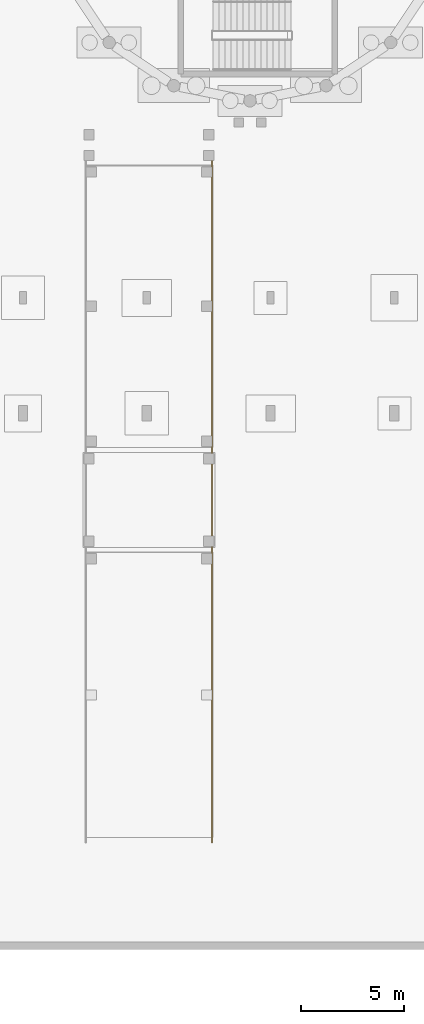
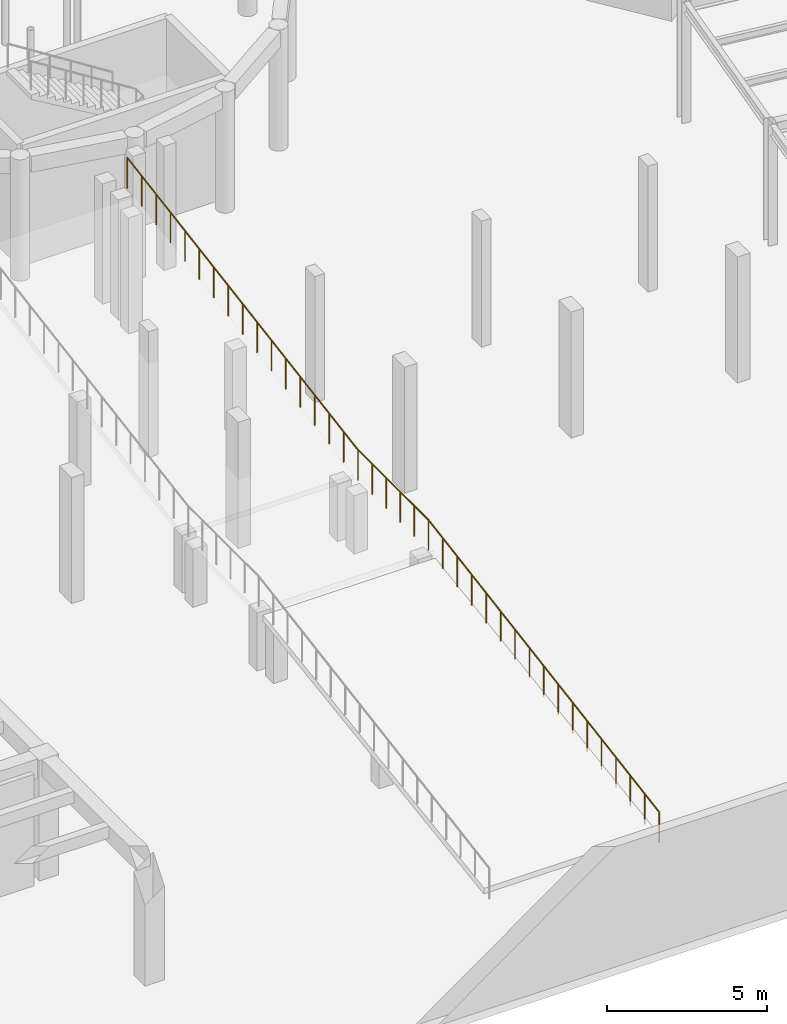
# One storey, part 30 of 34: 1 railing.
"""IFC4 building model written with IfcOpenShell, lengths in metres."""

from ifc_helpers import new_model, si_unit, direction, frame, origin, origin_2d, place, context, subcontext, project, spatial, circle, extrude, material, type_object, element, save


model = new_model("IFC4")

# Units and contexts
model_context = context("Model", 3, precision=1e-05, world=origin(), true_north=direction((0.0, 1.0)))
body_context = subcontext(model_context, "Body", "Model", "MODEL_VIEW")
ifc_project = project(units=[si_unit("LENGTHUNIT", "METRE"), si_unit("AREAUNIT", "SQUARE_METRE"), si_unit("VOLUMEUNIT", "CUBIC_METRE"), si_unit("PLANEANGLEUNIT", "RADIAN"), si_unit("MASSUNIT", "GRAM", prefix="KILO")], contexts=[model_context])

# Site, building, storey
site_placement = place(None, origin())
site = spatial("IfcSite", under=ifc_project, at=site_placement, CompositionType="ELEMENT")
building_placement = place(site_placement, origin())
building = spatial("IfcBuilding", under=site, at=building_placement, Name="Kharisveld Research Institute", CompositionType="ELEMENT")
storey_placement = place(building_placement, frame((0.0, 0.0, -4.800048828125)))
storey = spatial("IfcBuildingStorey", under=building, at=storey_placement, Name="B1", CompositionType="ELEMENT", Elevation=-4.800048828125)

# Railing
ifc_material = material(Name="Steel S355JR", Category="steel")
railing_type = type_object("IfcRailingType", Name="RL_GRD_STR", PredefinedType="GUARDRAIL", material=ifc_material)
railing_placement = place(storey_placement, frame((57.659912109375, 5.199951171875, 0.0)))
element("IfcRailing", 1, at=railing_placement, inside=storey, type_object=railing_type, Name="RLG:B1:CAR_RAMP_LOW_E", PredefinedType="GUARDRAIL", context=body_context, shape_type="SweptSolid", body=[
    extrude(circle(Radius=0.02392578125, at=origin_2d()), frame((0.0, 0.0, 1.15576171875), z_axis=(0.0, 0.986392567852, 0.164407122977), x_axis=(-1.0, 0.0, 0.0)), (0.0, 0.0, 1.0), 14.598876953125),
    extrude(circle(Radius=0.02392578125, at=origin_2d()), frame((0.0, 14.400146484375, 3.55615234375), z_axis=(0.0, 1.0, 0.0), x_axis=(-1.0, 0.0, 0.0)), (0.0, 0.0, 1.0), 4.39990234375),
    extrude(circle(Radius=0.02392578125, at=origin_2d()), frame((0.0, 18.800048828125, 3.55615234375), z_axis=(0.0, 0.986394827799, 0.164393563414), x_axis=(-1.0, 0.0, 0.0)), (0.0, 0.0, 1.0), 14.5986328125),
    extrude(circle(Radius=0.02099609375, at=origin_2d()), origin(), (0.0, 0.0, 1.0), 1.1318359375),
    extrude(circle(Radius=0.02099609375, at=origin_2d()), frame((0.0, 0.89990234375, 0.14990234375)), (0.0, 0.0, 1.0), 1.1318359375),
    extrude(circle(Radius=0.02099609375, at=origin_2d()), frame((0.0, 1.800048828125, 0.300048828125)), (0.0, 0.0, 1.0), 1.1318359375),
    extrude(circle(Radius=0.02099609375, at=origin_2d()), frame((0.0, 2.699951171875, 0.449951171875)), (0.0, 0.0, 1.0), 1.1318359375),
    extrude(circle(Radius=0.02099609375, at=origin_2d()), frame((0.0, 3.60009765625, 0.60009765625)), (0.0, 0.0, 1.0), 1.1318359375),
    extrude(circle(Radius=0.02099609375, at=origin_2d()), frame((0.0, 4.5, 0.75)), (0.0, 0.0, 1.0), 1.1318359375),
    extrude(circle(Radius=0.02099609375, at=origin_2d()), frame((0.0, 5.400146484375, 0.900146484375)), (0.0, 0.0, 1.0), 1.1318359375),
    extrude(circle(Radius=0.02099609375, at=origin_2d()), frame((0.0, 6.300048828125, 1.050048828125)), (0.0, 0.0, 1.0), 1.1318359375),
    extrude(circle(Radius=0.02099609375, at=origin_2d()), frame((0.0, 7.2001953125, 1.2001953125)), (0.0, 0.0, 1.0), 1.1318359375),
    extrude(circle(Radius=0.02099609375, at=origin_2d()), frame((0.0, 8.10009765625, 1.35009765625)), (0.0, 0.0, 1.0), 1.1318359375),
    extrude(circle(Radius=0.02099609375, at=origin_2d()), frame((0.0, 9.0, 1.5)), (0.0, 0.0, 1.0), 1.1318359375),
    extrude(circle(Radius=0.02099609375, at=origin_2d()), frame((0.0, 9.900146484375, 1.650146484375)), (0.0, 0.0, 1.0), 1.1318359375),
    extrude(circle(Radius=0.02099609375, at=origin_2d()), frame((0.0, 10.800048828125, 1.800048828125)), (0.0, 0.0, 1.0), 1.1318359375),
    extrude(circle(Radius=0.02099609375, at=origin_2d()), frame((0.0, 11.7001953125, 1.9501953125)), (0.0, 0.0, 1.0), 1.1318359375),
    extrude(circle(Radius=0.02099609375, at=origin_2d()), frame((0.0, 12.60009765625, 2.10009765625)), (0.0, 0.0, 1.0), 1.1318359375),
    extrude(circle(Radius=0.02099609375, at=origin_2d()), frame((0.0, 13.500244140625, 2.250244140625)), (0.0, 0.0, 1.0), 1.1318359375),
    extrude(circle(Radius=0.02099609375, at=origin_2d()), frame((0.0, 14.400146484375, 2.400146484375)), (0.0, 0.0, 1.0), 1.1318359375),
    extrude(circle(Radius=0.02099609375, at=origin_2d()), frame((0.0, 15.280029296875, 2.400146484375)), (0.0, 0.0, 1.0), 1.1318359375),
    extrude(circle(Radius=0.02099609375, at=origin_2d()), frame((0.0, 16.16015625, 2.400146484375)), (0.0, 0.0, 1.0), 1.1318359375),
    extrude(circle(Radius=0.02099609375, at=origin_2d()), frame((0.0, 17.0400390625, 2.400146484375)), (0.0, 0.0, 1.0), 1.1318359375),
    extrude(circle(Radius=0.02099609375, at=origin_2d()), frame((0.0, 17.920166015625, 2.400146484375)), (0.0, 0.0, 1.0), 1.1318359375),
    extrude(circle(Radius=0.02099609375, at=origin_2d()), frame((0.0, 18.800048828125, 2.400146484375)), (0.0, 0.0, 1.0), 1.1318359375),
    extrude(circle(Radius=0.02099609375, at=origin_2d()), frame((0.0, 19.699951171875, 2.550048828125)), (0.0, 0.0, 1.0), 1.1318359375),
    extrude(circle(Radius=0.02099609375, at=origin_2d()), frame((0.0, 20.60009765625, 2.7001953125)), (0.0, 0.0, 1.0), 1.1318359375),
    extrude(circle(Radius=0.02099609375, at=origin_2d()), frame((0.0, 21.5, 2.85009765625)), (0.0, 0.0, 1.0), 1.1318359375),
    extrude(circle(Radius=0.02099609375, at=origin_2d()), frame((0.0, 22.39990234375, 3.0)), (0.0, 0.0, 1.0), 1.1318359375),
    extrude(circle(Radius=0.02099609375, at=origin_2d()), frame((0.0, 23.300048828125, 3.150146484375)), (0.0, 0.0, 1.0), 1.1318359375),
    extrude(circle(Radius=0.02099609375, at=origin_2d()), frame((0.0, 24.199951171875, 3.300048828125)), (0.0, 0.0, 1.0), 1.1318359375),
    extrude(circle(Radius=0.02099609375, at=origin_2d()), frame((0.0, 25.10009765625, 3.4501953125)), (0.0, 0.0, 1.0), 1.1318359375),
    extrude(circle(Radius=0.02099609375, at=origin_2d()), frame((0.0, 26.0, 3.60009765625)), (0.0, 0.0, 1.0), 1.1318359375),
    extrude(circle(Radius=0.02099609375, at=origin_2d()), frame((0.0, 26.89990234375, 3.75)), (0.0, 0.0, 1.0), 1.1318359375),
    extrude(circle(Radius=0.02099609375, at=origin_2d()), frame((0.0, 27.800048828125, 3.900146484375)), (0.0, 0.0, 1.0), 1.1318359375),
    extrude(circle(Radius=0.02099609375, at=origin_2d()), frame((0.0, 28.699951171875, 4.050048828125)), (0.0, 0.0, 1.0), 1.1318359375),
    extrude(circle(Radius=0.02099609375, at=origin_2d()), frame((0.0, 29.60009765625, 4.2001953125)), (0.0, 0.0, 1.0), 1.1318359375),
    extrude(circle(Radius=0.02099609375, at=origin_2d()), frame((0.0, 30.5, 4.35009765625)), (0.0, 0.0, 1.0), 1.1318359375),
    extrude(circle(Radius=0.02099609375, at=origin_2d()), frame((0.0, 31.39990234375, 4.5)), (0.0, 0.0, 1.0), 1.1318359375),
    extrude(circle(Radius=0.02099609375, at=origin_2d()), frame((0.0, 32.300048828125, 4.650146484375)), (0.0, 0.0, 1.0), 1.1318359375),
    extrude(circle(Radius=0.02099609375, at=origin_2d()), frame((0.0, 33.199951171875, 4.800048828125)), (0.0, 0.0, 1.0), 1.1318359375),
])

save(model, "model.ifc")
